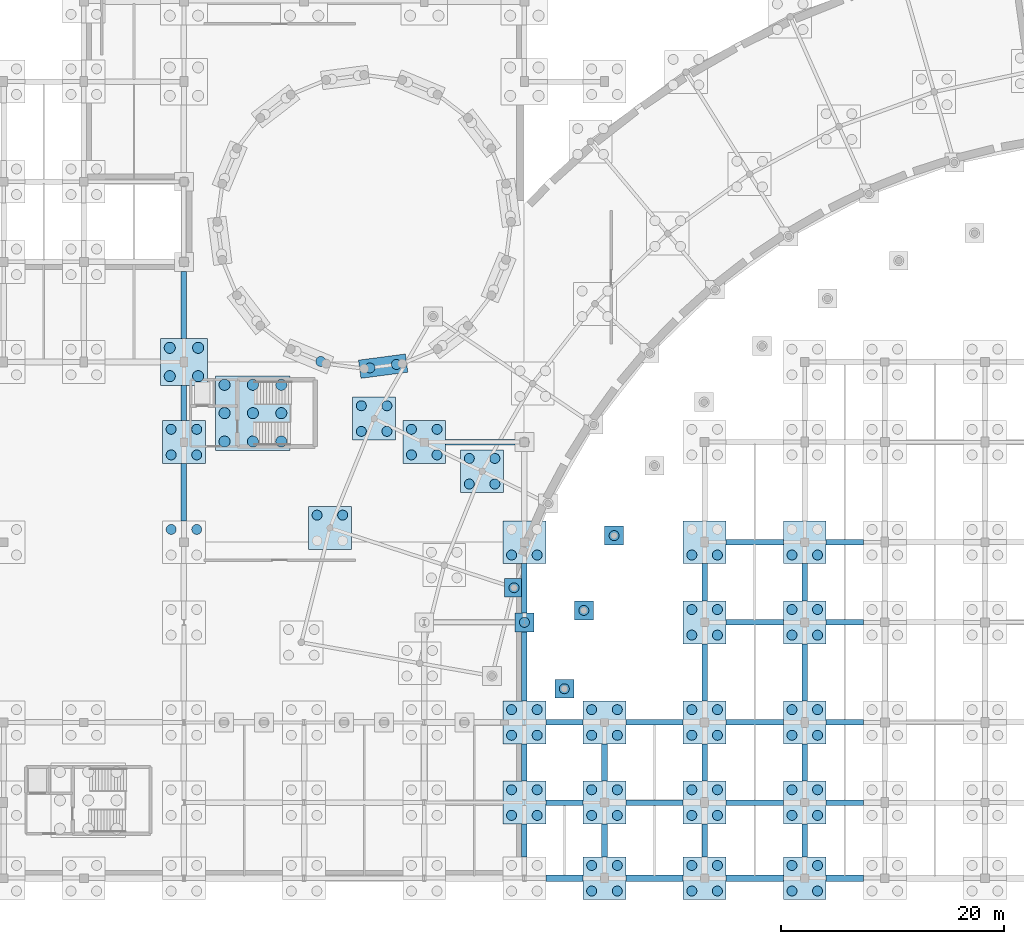
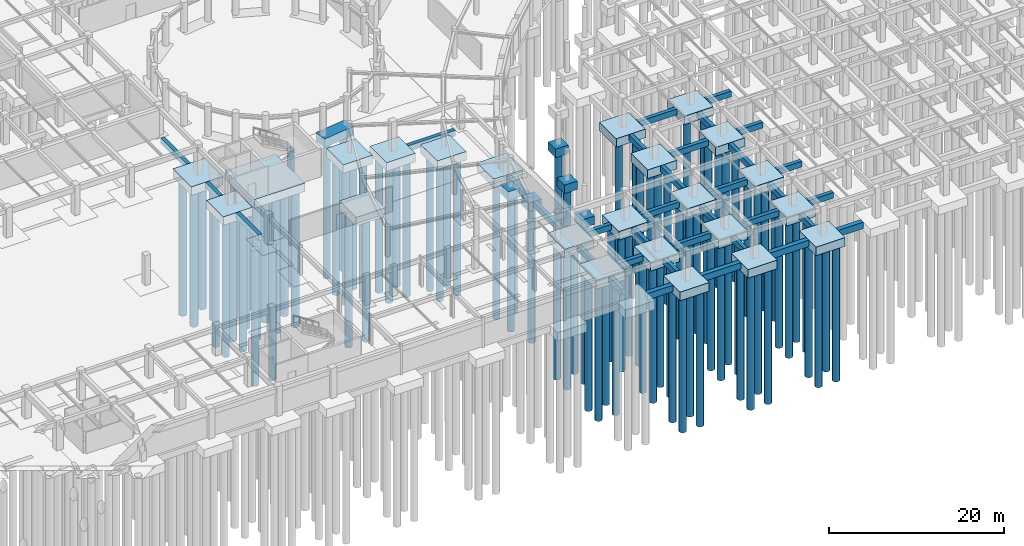
# One storey, part 4 of 42: 99 piles, 63 footings.
"""IFC4 building model written with IfcOpenShell, lengths in metres."""

from ifc_helpers import new_model, si_unit, direction, frame, frame_2d, origin, origin_2d, place, context, subcontext, project, spatial, polyline, rectangle, circle, outline, extrude, material, material_profile, profile_set, type_object, element, save


model = new_model("IFC4")

# Units and contexts
model_context = context("Model", 3, precision=1e-05, world=origin(), true_north=direction((0.0, 1.0)))
body_context = subcontext(model_context, "Body", "Model", "MODEL_VIEW")
ifc_project = project(units=[si_unit("LENGTHUNIT", "METRE"), si_unit("AREAUNIT", "SQUARE_METRE"), si_unit("VOLUMEUNIT", "CUBIC_METRE"), si_unit("PLANEANGLEUNIT", "RADIAN"), si_unit("MASSUNIT", "GRAM", prefix="KILO")], contexts=[model_context])

# Site, building, storey
site_placement = place(None, origin())
site = spatial("IfcSite", under=ifc_project, at=site_placement, CompositionType="ELEMENT")
building_placement = place(site_placement, origin())
building = spatial("IfcBuilding", under=site, at=building_placement, Name="Clarverna Civic Hall", CompositionType="ELEMENT")
storey_placement = place(building_placement, frame((0.0, 0.0, -4.199951171875)))
storey = spatial("IfcBuildingStorey", under=building, at=storey_placement, Name="B01", CompositionType="ELEMENT", Elevation=-4.199951171875)

# Footings
ifc_material = material(Name="Concrete C30/37", Category="concrete")
footing_type_1 = type_object("IfcFootingType", Name="FC-01", PredefinedType="PILE_CAP", material=ifc_material)
footing_1_placement = place(storey_placement, frame((0.0, 0.0, -1.199951171875)))
element("IfcFooting", 1, at=footing_1_placement, inside=storey, type_object=footing_type_1, Name="FC-01-010", PredefinedType="PILE_CAP", context=body_context, shape_type="SweptSolid", body=[
    extrude(outline(polyline([(82.509033203125, 44.9296875), (86.72265625, 45.484375), (86.50732421875, 47.1201171875), (82.293701171875, 46.5654296875), (82.509033203125, 44.9296875)])), origin(), (0.0, 0.0, 1.0), 1.199951171875),
])
footing_type_2 = type_object("IfcFootingType", Name="FC-02", PredefinedType="PILE_CAP", material=ifc_material)
for number, where, z_axis, x_axis, name in (
    (2, (93.398681640625, 36.581787109375, -1.2001953125), (0.0, 0.0, 1.0), (1.0, 0.0, 0.0), "FC-02-008"),
    (3, (83.691650390625, 41.316162109375, -1.2001953125), (0.0, 0.0, 1.0), (1.0, 0.0, 0.0), "FC-02-016"),
    (4, (79.7197265625, 31.4853515625, -1.2001953125), (0.0, 0.0, 1.0), (1.0, 0.0, 0.0), "FC-02-017"),
    (5, (66.60009765625, 39.199951171875, -1.2001953125), (0.0, 0.0, 1.0), (1.0, 0.0, 0.0), "FC-02-082"),
    (6, (88.199951171875, 39.199951171875, -1.2001953125), (0.0, 0.0, 1.0), (1.0, 0.0, 0.0), "FC-02-089"),
    (7, (97.199951171875, 6.800048828125, -1.2001953125), (0.0, 0.0, 1.0), (1.0, 0.0, 0.0), "FC-02-091"),
    (8, (97.199951171875, 14.0, -1.2001953125), (0.0, 0.0, 1.0), (1.0, 0.0, 0.0), "FC-02-092"),
    (9, (97.199951171875, 30.199951171875, -1.2001953125), (0.0, 0.0, 1.0), (1.0, 0.0, 0.0), "FC-02-093"),
    (10, (104.39990234375, 0.0, -1.2001953125), (0.0, 0.0, 1.0), (1.0, 0.0, 0.0), "FC-02-094"),
    (11, (104.39990234375, 6.800048828125, -1.2001953125), (0.0, 0.0, 1.0), (1.0, 0.0, 0.0), "FC-02-095"),
    (12, (104.39990234375, 14.0, -1.2001953125), (0.0, 0.0, 1.0), (1.0, 0.0, 0.0), "FC-02-096"),
    (13, (113.39990234375, 0.0, -1.2001953125), (0.0, 0.0, 1.0), (1.0, 0.0, 0.0), "FC-02-098"),
    (14, (113.39990234375, 6.800048828125, -1.2001953125), (0.0, 0.0, 1.0), (1.0, 0.0, 0.0), "FC-02-099"),
    (15, (113.39990234375, 14.0, -1.2001953125), (0.0, 0.0, 1.0), (1.0, 0.0, 0.0), "FC-02-100"),
    (16, (113.39990234375, 23.0, -1.2001953125), (0.0, 0.0, 1.0), (1.0, 0.0, 0.0), "FC-02-101"),
    (17, (113.39990234375, 30.199951171875, -1.2001953125), (0.0, 0.0, 1.0), (1.0, 0.0, 0.0), "FC-02-102"),
    (18, (122.39990234375, 0.0, -1.2001953125), (0.0, 0.0, 1.0), (1.0, 0.0, 0.0), "FC-02-104"),
    (19, (122.39990234375, 6.800048828125, -1.2001953125), (0.0, 0.0, 1.0), (1.0, 0.0, 0.0), "FC-02-105"),
    (20, (122.39990234375, 14.0, -1.2001953125), (0.0, 0.0, 1.0), (1.0, 0.0, 0.0), "FC-02-106"),
    (21, (122.39990234375, 23.0, -1.2001953125), (0.0, 0.0, 1.0), (1.0, 0.0, 0.0), "FC-02-107"),
    (22, (122.39990234375, 30.199951171875, -1.2001953125), (0.0, 0.0, 1.0), (1.0, 0.0, 0.0), "FC-02-108"),
):
    element("IfcFooting", number, at=place(storey_placement, frame(where, z_axis=z_axis, x_axis=x_axis)), inside=storey, type_object=footing_type_2, Name=name, PredefinedType="PILE_CAP", context=body_context, shape_type="SweptSolid", body=[
        extrude(rectangle(XDim=3.85009765625, YDim=3.85009765625, at=origin_2d()), origin(), (0.0, 0.0, 1.0), 1.199951171875),
    ])
footing_type_3 = type_object("IfcFootingType", Name="FC-03", PredefinedType="PILE_CAP", material=ifc_material)
footing_2_placement = place(storey_placement, frame((66.60009765625, 46.39990234375, -1.2001953125), z_axis=(0.0, 0.0, 1.0), x_axis=(1.0, 0.0, 0.0)))
element("IfcFooting", 23, at=footing_2_placement, inside=storey, type_object=footing_type_3, Name="FC-03-035", PredefinedType="PILE_CAP", context=body_context, shape_type="SweptSolid", body=[
    extrude(rectangle(XDim=4.199951171875, YDim=4.199951171875, at=origin_2d()), origin(), (0.0, 0.0, 1.0), 1.199951171875),
])
footing_type_4 = type_object("IfcFootingType", Name="FC-05", PredefinedType="PILE_CAP", material=ifc_material)
footing_3_placement = place(storey_placement, frame((72.800048828125, 41.800048828125, -1.2001953125), z_axis=(0.0, 0.0, 1.0), x_axis=(1.0, 0.0, 0.0)))
element("IfcFooting", 24, at=footing_3_placement, inside=storey, type_object=footing_type_4, Name="FC-05-007", PredefinedType="PILE_CAP", context=body_context, shape_type="SweptSolid", body=[
    extrude(rectangle(XDim=6.699951171875, YDim=6.699951171875, at=origin_2d()), origin(), (0.0, 0.0, 1.0), 1.199951171875),
])
footing_type_5 = type_object("IfcFootingType", Name="FC-06", PredefinedType="PILE_CAP", material=ifc_material)
for number, where, z_axis, x_axis, name in (
    (25, (96.26806640625, 26.1083984375, -1.2001953125), (0.0, 0.0, 1.0), (1.0, 0.0, 0.0), "FC-06-010"),
    (26, (105.2626953125, 30.79541015625, -1.2001953125), (0.0, 0.0, 1.0), (1.0, 0.0, 0.0), "FC-06-019"),
    (27, (102.545166015625, 24.06884765625, -1.2001953125), (0.0, 0.0, 1.0), (1.0, 0.0, 0.0), "FC-06-020"),
    (28, (100.7900390625, 17.02978515625, -1.2001953125), (0.0, 0.0, 1.0), (1.0, 0.0, 0.0), "FC-06-021"),
    (29, (97.199951171875, 23.0, -1.2001953125), (0.0, 0.0, 1.0), (1.0, 0.0, 0.0), "FC-06-025"),
):
    element("IfcFooting", number, at=place(storey_placement, frame(where, z_axis=z_axis, x_axis=x_axis)), inside=storey, type_object=footing_type_5, Name=name, PredefinedType="PILE_CAP", context=body_context, shape_type="SweptSolid", body=[
        extrude(rectangle(XDim=1.699951171875, YDim=1.699951171875, at=origin_2d()), origin(), (0.0, 0.0, 1.0), 1.199951171875),
    ])
footing_type_6 = type_object("IfcFootingType", Name="GB-01", PredefinedType="FOOTING_BEAM", material=ifc_material)
footing_4_placement = place(storey_placement, frame((99.125, 6.800048828125, -0.800048828125), z_axis=(0.0, 0.0, 1.0), x_axis=(1.0, 0.0, 0.0)))
element("IfcFooting", 30, at=footing_4_placement, inside=storey, type_object=footing_type_6, Name="GB-01-010", PredefinedType="FOOTING_BEAM", context=body_context, shape_type="SweptSolid", body=[
    extrude(rectangle(XDim=3.35009765625, YDim=0.5, at=frame_2d((1.675048828125, 0.0))), origin(), (0.0, 0.0, 1.0), 0.800048828125),
])
for number, where, z_axis, x_axis, name in (
    (31, (106.324951171875, 6.800048828125, -0.800048828125), (0.0, 0.0, 1.0), (1.0, 0.0, 0.0), "GB-01-011"),
    (32, (115.324951171875, 6.800048828125, -0.800048828125), (0.0, 0.0, 1.0), (1.0, 0.0, 0.0), "GB-01-012"),
):
    element("IfcFooting", number, at=place(storey_placement, frame(where, z_axis=z_axis, x_axis=x_axis)), inside=storey, type_object=footing_type_6, Name=name, PredefinedType="FOOTING_BEAM", context=body_context, shape_type="SweptSolid", body=[
        extrude(rectangle(XDim=5.150146484375, YDim=0.5, at=frame_2d((2.5751953125, 0.0))), origin(), (0.0, 0.0, 1.0), 0.800048828125),
    ])
for number, where, z_axis, x_axis, name in (
    (33, (124.324951171875, 6.800048828125, -0.800048828125), (0.0, 0.0, 1.0), (1.0, 0.0, 0.0), "GB-01-013"),
    (34, (99.125, 14.0, -0.800048828125), (0.0, 0.0, 1.0), (1.0, 0.0, 0.0), "GB-01-030"),
):
    element("IfcFooting", number, at=place(storey_placement, frame(where, z_axis=z_axis, x_axis=x_axis)), inside=storey, type_object=footing_type_6, Name=name, PredefinedType="FOOTING_BEAM", context=body_context, shape_type="SweptSolid", body=[
        extrude(rectangle(XDim=3.35009765625, YDim=0.5, at=frame_2d((1.675048828125, 0.0))), origin(), (0.0, 0.0, 1.0), 0.800048828125),
    ])
for number, where, z_axis, x_axis, name in (
    (35, (106.324951171875, 14.0, -0.800048828125), (0.0, 0.0, 1.0), (1.0, 0.0, 0.0), "GB-01-031"),
    (36, (115.324951171875, 14.0, -0.800048828125), (0.0, 0.0, 1.0), (1.0, 0.0, 0.0), "GB-01-032"),
):
    element("IfcFooting", number, at=place(storey_placement, frame(where, z_axis=z_axis, x_axis=x_axis)), inside=storey, type_object=footing_type_6, Name=name, PredefinedType="FOOTING_BEAM", context=body_context, shape_type="SweptSolid", body=[
        extrude(rectangle(XDim=5.150146484375, YDim=0.5, at=frame_2d((2.5751953125, 0.0))), origin(), (0.0, 0.0, 1.0), 0.800048828125),
    ])
footing_5_placement = place(storey_placement, frame((124.324951171875, 14.0, -0.800048828125), z_axis=(0.0, 0.0, 1.0), x_axis=(1.0, 0.0, 0.0)))
element("IfcFooting", 37, at=footing_5_placement, inside=storey, type_object=footing_type_6, Name="GB-01-033", PredefinedType="FOOTING_BEAM", context=body_context, shape_type="SweptSolid", body=[
    extrude(rectangle(XDim=3.35009765625, YDim=0.5, at=frame_2d((1.675048828125, 0.0))), origin(), (0.0, 0.0, 1.0), 0.800048828125),
])
footing_6_placement = place(storey_placement, frame((115.324951171875, 23.0, -0.800048828125), z_axis=(0.0, 0.0, 1.0), x_axis=(1.0, 0.0, 0.0)))
element("IfcFooting", 38, at=footing_6_placement, inside=storey, type_object=footing_type_6, Name="GB-01-042", PredefinedType="FOOTING_BEAM", context=body_context, shape_type="SweptSolid", body=[
    extrude(rectangle(XDim=5.150146484375, YDim=0.5, at=frame_2d((2.5751953125, 0.0))), origin(), (0.0, 0.0, 1.0), 0.800048828125),
])
footing_7_placement = place(storey_placement, frame((124.324951171875, 23.0, -0.800048828125), z_axis=(0.0, 0.0, 1.0), x_axis=(1.0, 0.0, 0.0)))
element("IfcFooting", 39, at=footing_7_placement, inside=storey, type_object=footing_type_6, Name="GB-01-043", PredefinedType="FOOTING_BEAM", context=body_context, shape_type="SweptSolid", body=[
    extrude(rectangle(XDim=3.35009765625, YDim=0.5, at=frame_2d((1.675048828125, 0.0))), origin(), (0.0, 0.0, 1.0), 0.800048828125),
])
footing_8_placement = place(storey_placement, frame((115.324951171875, 30.199951171875, -0.800048828125), z_axis=(0.0, 0.0, 1.0), x_axis=(1.0, 0.0, 0.0)))
element("IfcFooting", 40, at=footing_8_placement, inside=storey, type_object=footing_type_6, Name="GB-01-051", PredefinedType="FOOTING_BEAM", context=body_context, shape_type="SweptSolid", body=[
    extrude(rectangle(XDim=5.150146484375, YDim=0.5, at=frame_2d((2.5751953125, 0.0))), origin(), (0.0, 0.0, 1.0), 0.800048828125),
])
footing_9_placement = place(storey_placement, frame((124.324951171875, 30.199951171875, -0.800048828125), z_axis=(0.0, 0.0, 1.0), x_axis=(1.0, 0.0, 0.0)))
element("IfcFooting", 41, at=footing_9_placement, inside=storey, type_object=footing_type_6, Name="GB-01-052", PredefinedType="FOOTING_BEAM", context=body_context, shape_type="SweptSolid", body=[
    extrude(rectangle(XDim=3.35009765625, YDim=0.5, at=frame_2d((1.675048828125, 0.0))), origin(), (0.0, 0.0, 1.0), 0.800048828125),
])
footing_10_placement = place(storey_placement, frame((90.125, 39.199951171875, -0.800048828125), z_axis=(0.0, 0.0, 1.0), x_axis=(1.0, 0.0, 0.0)))
element("IfcFooting", 42, at=footing_10_placement, inside=storey, type_object=footing_type_6, Name="GB-01-060", PredefinedType="FOOTING_BEAM", context=body_context, shape_type="SweptSolid", body=[
    extrude(rectangle(XDim=6.22509765625, YDim=0.5, at=frame_2d((3.112548828125, 0.0))), origin(), (0.0, 0.0, 1.0), 0.800048828125),
])
footing_11_placement = place(storey_placement, frame((66.60009765625, 32.125, -0.800048828125), z_axis=(0.0, 0.0, 1.0), x_axis=(0.0, 1.0, 0.0)))
element("IfcFooting", 43, at=footing_11_placement, inside=storey, type_object=footing_type_6, Name="GB-01-237", PredefinedType="FOOTING_BEAM", context=body_context, shape_type="SweptSolid", body=[
    extrude(rectangle(XDim=5.14990234375, YDim=0.5, at=frame_2d((2.574951171875, 0.0))), origin(), (0.0, 0.0, 1.0), 0.800048828125),
])
footing_12_placement = place(storey_placement, frame((66.60009765625, 41.125, -0.800048828125), z_axis=(0.0, 0.0, 1.0), x_axis=(0.0, 1.0, 0.0)))
element("IfcFooting", 44, at=footing_12_placement, inside=storey, type_object=footing_type_6, Name="GB-01-238", PredefinedType="FOOTING_BEAM", context=body_context, shape_type="SweptSolid", body=[
    extrude(rectangle(XDim=3.175048828125, YDim=0.5, at=frame_2d((1.58740234375, 0.0))), origin(), (0.0, 0.0, 1.0), 0.800048828125),
])
footing_13_placement = place(storey_placement, frame((66.60009765625, 48.5, -0.800048828125), z_axis=(0.0, 0.0, 1.0), x_axis=(0.0, 1.0, 0.0)))
element("IfcFooting", 45, at=footing_13_placement, inside=storey, type_object=footing_type_6, Name="GB-01-239", PredefinedType="FOOTING_BEAM", context=body_context, shape_type="SweptSolid", body=[
    extrude(rectangle(XDim=6.050048828125, YDim=0.5, at=frame_2d((3.02490234375, 0.0))), origin(), (0.0, 0.0, 1.0), 0.800048828125),
])
footing_14_placement = place(storey_placement, frame((97.199951171875, 1.925048828125, -0.800048828125), z_axis=(0.0, 0.0, 1.0), x_axis=(0.0, 1.0, 0.0)))
element("IfcFooting", 46, at=footing_14_placement, inside=storey, type_object=footing_type_6, Name="GB-01-257", PredefinedType="FOOTING_BEAM", context=body_context, shape_type="SweptSolid", body=[
    extrude(rectangle(XDim=2.949951171875, YDim=0.5, at=frame_2d((1.47509765625, 0.0))), origin(), (0.0, 0.0, 1.0), 0.800048828125),
])
footing_15_placement = place(storey_placement, frame((97.199951171875, 8.72509765625, -0.800048828125), z_axis=(0.0, 0.0, 1.0), x_axis=(0.0, 1.0, 0.0)))
element("IfcFooting", 47, at=footing_15_placement, inside=storey, type_object=footing_type_6, Name="GB-01-258", PredefinedType="FOOTING_BEAM", context=body_context, shape_type="SweptSolid", body=[
    extrude(rectangle(XDim=3.349853515625, YDim=0.5, at=frame_2d((1.6748046875, 0.0))), origin(), (0.0, 0.0, 1.0), 0.800048828125),
])
footing_16_placement = place(storey_placement, frame((97.199951171875, 15.925048828125, -0.800048828125), z_axis=(0.0, 0.0, 1.0), x_axis=(0.0, 1.0, 0.0)))
element("IfcFooting", 48, at=footing_16_placement, inside=storey, type_object=footing_type_6, Name="GB-01-259", PredefinedType="FOOTING_BEAM", context=body_context, shape_type="SweptSolid", body=[
    extrude(rectangle(XDim=6.224853515625, YDim=0.5, at=frame_2d((3.1123046875, 0.0))), origin(), (0.0, 0.0, 1.0), 0.800048828125),
])
footing_17_placement = place(storey_placement, frame((97.199951171875, 23.85009765625, -0.800048828125), z_axis=(0.0, 0.0, 1.0), x_axis=(0.0, 1.0, 0.0)))
element("IfcFooting", 49, at=footing_17_placement, inside=storey, type_object=footing_type_6, Name="GB-01-260", PredefinedType="FOOTING_BEAM", context=body_context, shape_type="SweptSolid", body=[
    extrude(rectangle(XDim=4.4248046875, YDim=0.5, at=frame_2d((2.21240234375, 0.0))), origin(), (0.0, 0.0, 1.0), 0.800048828125),
])
footing_18_placement = place(storey_placement, frame((104.39990234375, 1.925048828125, -0.800048828125), z_axis=(0.0, 0.0, 1.0), x_axis=(0.0, 1.0, 0.0)))
element("IfcFooting", 50, at=footing_18_placement, inside=storey, type_object=footing_type_6, Name="GB-01-267", PredefinedType="FOOTING_BEAM", context=body_context, shape_type="SweptSolid", body=[
    extrude(rectangle(XDim=2.949951171875, YDim=0.5, at=frame_2d((1.47509765625, 0.0))), origin(), (0.0, 0.0, 1.0), 0.800048828125),
])
footing_19_placement = place(storey_placement, frame((104.39990234375, 8.72509765625, -0.800048828125), z_axis=(0.0, 0.0, 1.0), x_axis=(0.0, 1.0, 0.0)))
element("IfcFooting", 51, at=footing_19_placement, inside=storey, type_object=footing_type_6, Name="GB-01-268", PredefinedType="FOOTING_BEAM", context=body_context, shape_type="SweptSolid", body=[
    extrude(rectangle(XDim=3.349853515625, YDim=0.5, at=frame_2d((1.6748046875, 0.0))), origin(), (0.0, 0.0, 1.0), 0.800048828125),
])
footing_20_placement = place(storey_placement, frame((113.39990234375, 1.925048828125, -0.800048828125), z_axis=(0.0, 0.0, 1.0), x_axis=(0.0, 1.0, 0.0)))
element("IfcFooting", 52, at=footing_20_placement, inside=storey, type_object=footing_type_6, Name="GB-01-272", PredefinedType="FOOTING_BEAM", context=body_context, shape_type="SweptSolid", body=[
    extrude(rectangle(XDim=2.949951171875, YDim=0.5, at=frame_2d((1.47509765625, 0.0))), origin(), (0.0, 0.0, 1.0), 0.800048828125),
])
footing_21_placement = place(storey_placement, frame((113.39990234375, 8.72509765625, -0.800048828125), z_axis=(0.0, 0.0, 1.0), x_axis=(0.0, 1.0, 0.0)))
element("IfcFooting", 53, at=footing_21_placement, inside=storey, type_object=footing_type_6, Name="GB-01-273", PredefinedType="FOOTING_BEAM", context=body_context, shape_type="SweptSolid", body=[
    extrude(rectangle(XDim=3.349853515625, YDim=0.5, at=frame_2d((1.6748046875, 0.0))), origin(), (0.0, 0.0, 1.0), 0.800048828125),
])
footing_22_placement = place(storey_placement, frame((113.39990234375, 15.925048828125, -0.800048828125), z_axis=(0.0, 0.0, 1.0), x_axis=(0.0, 1.0, 0.0)))
element("IfcFooting", 54, at=footing_22_placement, inside=storey, type_object=footing_type_6, Name="GB-01-274", PredefinedType="FOOTING_BEAM", context=body_context, shape_type="SweptSolid", body=[
    extrude(rectangle(XDim=5.14990234375, YDim=0.5, at=frame_2d((2.574951171875, 0.0))), origin(), (0.0, 0.0, 1.0), 0.800048828125),
])
footing_23_placement = place(storey_placement, frame((113.39990234375, 24.925048828125, -0.800048828125), z_axis=(0.0, 0.0, 1.0), x_axis=(0.0, 1.0, 0.0)))
element("IfcFooting", 55, at=footing_23_placement, inside=storey, type_object=footing_type_6, Name="GB-01-275", PredefinedType="FOOTING_BEAM", context=body_context, shape_type="SweptSolid", body=[
    extrude(rectangle(XDim=3.349853515625, YDim=0.5, at=frame_2d((1.6748046875, 0.0))), origin(), (0.0, 0.0, 1.0), 0.800048828125),
])
footing_24_placement = place(storey_placement, frame((122.39990234375, 1.925048828125, -0.800048828125), z_axis=(0.0, 0.0, 1.0), x_axis=(0.0, 1.0, 0.0)))
element("IfcFooting", 56, at=footing_24_placement, inside=storey, type_object=footing_type_6, Name="GB-01-281", PredefinedType="FOOTING_BEAM", context=body_context, shape_type="SweptSolid", body=[
    extrude(rectangle(XDim=2.949951171875, YDim=0.5, at=frame_2d((1.47509765625, 0.0))), origin(), (0.0, 0.0, 1.0), 0.800048828125),
])
footing_25_placement = place(storey_placement, frame((122.39990234375, 8.72509765625, -0.800048828125), z_axis=(0.0, 0.0, 1.0), x_axis=(0.0, 1.0, 0.0)))
element("IfcFooting", 57, at=footing_25_placement, inside=storey, type_object=footing_type_6, Name="GB-01-282", PredefinedType="FOOTING_BEAM", context=body_context, shape_type="SweptSolid", body=[
    extrude(rectangle(XDim=3.349853515625, YDim=0.5, at=frame_2d((1.6748046875, 0.0))), origin(), (0.0, 0.0, 1.0), 0.800048828125),
])
footing_26_placement = place(storey_placement, frame((122.39990234375, 15.925048828125, -0.800048828125), z_axis=(0.0, 0.0, 1.0), x_axis=(0.0, 1.0, 0.0)))
element("IfcFooting", 58, at=footing_26_placement, inside=storey, type_object=footing_type_6, Name="GB-01-283", PredefinedType="FOOTING_BEAM", context=body_context, shape_type="SweptSolid", body=[
    extrude(rectangle(XDim=5.14990234375, YDim=0.5, at=frame_2d((2.574951171875, 0.0))), origin(), (0.0, 0.0, 1.0), 0.800048828125),
])
footing_27_placement = place(storey_placement, frame((122.39990234375, 24.925048828125, -0.800048828125), z_axis=(0.0, 0.0, 1.0), x_axis=(0.0, 1.0, 0.0)))
element("IfcFooting", 59, at=footing_27_placement, inside=storey, type_object=footing_type_6, Name="GB-01-284", PredefinedType="FOOTING_BEAM", context=body_context, shape_type="SweptSolid", body=[
    extrude(rectangle(XDim=3.349853515625, YDim=0.5, at=frame_2d((1.6748046875, 0.0))), origin(), (0.0, 0.0, 1.0), 0.800048828125),
])
footing_type_7 = type_object("IfcFootingType", Name="GB-02", PredefinedType="FOOTING_BEAM", material=ifc_material)
footing_28_placement = place(storey_placement, frame((99.125, 0.0, -0.900146484375), z_axis=(0.0, 0.0, 1.0), x_axis=(1.0, 0.0, 0.0)))
element("IfcFooting", 60, at=footing_28_placement, inside=storey, type_object=footing_type_7, Name="GB-02-012", PredefinedType="FOOTING_BEAM", context=body_context, shape_type="SweptSolid", body=[
    extrude(rectangle(XDim=3.35009765625, YDim=0.60009765625, at=frame_2d((1.675048828125, 0.0))), origin(), (0.0, 0.0, 1.0), 0.900146484375),
])
for number, where, z_axis, x_axis, name in (
    (61, (106.324951171875, 0.0, -0.900146484375), (0.0, 0.0, 1.0), (1.0, 0.0, 0.0), "GB-02-013"),
    (62, (115.324951171875, 0.0, -0.900146484375), (0.0, 0.0, 1.0), (1.0, 0.0, 0.0), "GB-02-014"),
):
    element("IfcFooting", number, at=place(storey_placement, frame(where, z_axis=z_axis, x_axis=x_axis)), inside=storey, type_object=footing_type_7, Name=name, PredefinedType="FOOTING_BEAM", context=body_context, shape_type="SweptSolid", body=[
        extrude(rectangle(XDim=5.150146484375, YDim=0.60009765625, at=frame_2d((2.5751953125, 0.0))), origin(), (0.0, 0.0, 1.0), 0.900146484375),
    ])
footing_29_placement = place(storey_placement, frame((124.324951171875, 0.0, -0.900146484375), z_axis=(0.0, 0.0, 1.0), x_axis=(1.0, 0.0, 0.0)))
element("IfcFooting", 63, at=footing_29_placement, inside=storey, type_object=footing_type_7, Name="GB-02-015", PredefinedType="FOOTING_BEAM", context=body_context, shape_type="SweptSolid", body=[
    extrude(rectangle(XDim=3.35009765625, YDim=0.60009765625, at=frame_2d((1.675048828125, 0.0))), origin(), (0.0, 0.0, 1.0), 0.900146484375),
])

# Piles
ifc_material_profile_1 = material_profile(ifc_material, circle(Radius=0.449951171875, at=origin_2d()), Name="BORED PILE D900")
ifc_profile_set_1 = profile_set([ifc_material_profile_1], Name="Concrete C30/37")
pile_type_1 = type_object("IfcPileType", Name="PL-01", PredefinedType="BORED", material=ifc_profile_set_1)
for number, where, z_axis, x_axis, name in (
    (64, (78.900390625, 46.449951171875, -1.10009765625), (0.0, 0.0, -1.0), (1.0, 0.0, 0.0), "PL-01-018"),
    (65, (83.318603515625, 45.868408203125, -1.10009765625), (0.0, 0.0, -1.0), (1.0, 0.0, 0.0), "PL-01-019"),
    (66, (85.697998046875, 46.181396484375, -1.10009765625), (0.0, 0.0, -1.0), (1.0, 0.0, 0.0), "PL-01-020"),
    (67, (92.24853515625, 35.431884765625, -1.10009765625), (0.0, 0.0, -1.0), (1.0, 0.0, 0.0), "PL-01-053"),
    (68, (94.548583984375, 35.431884765625, -1.10009765625), (0.0, 0.0, -1.0), (1.0, 0.0, 0.0), "PL-01-054"),
    (69, (92.24853515625, 37.731689453125, -1.10009765625), (0.0, 0.0, -1.0), (1.0, 0.0, 0.0), "PL-01-055"),
    (70, (94.548583984375, 37.731689453125, -1.10009765625), (0.0, 0.0, -1.0), (1.0, 0.0, 0.0), "PL-01-056"),
    (71, (82.541748046875, 40.166259765625, -1.10009765625), (0.0, 0.0, -1.0), (1.0, 0.0, 0.0), "PL-01-086"),
    (72, (84.841796875, 40.166259765625, -1.10009765625), (0.0, 0.0, -1.0), (1.0, 0.0, 0.0), "PL-01-087"),
    (73, (82.541748046875, 42.46630859375, -1.10009765625), (0.0, 0.0, -1.0), (1.0, 0.0, 0.0), "PL-01-088"),
    (74, (84.841796875, 42.46630859375, -1.10009765625), (0.0, 0.0, -1.0), (1.0, 0.0, 0.0), "PL-01-089"),
    (75, (78.569580078125, 32.63525390625, -1.10009765625), (0.0, 0.0, -1.0), (1.0, 0.0, 0.0), "PL-01-092"),
    (76, (80.86962890625, 32.63525390625, -1.10009765625), (0.0, 0.0, -1.0), (1.0, 0.0, 0.0), "PL-01-093"),
    (77, (96.26806640625, 26.1083984375, -1.10009765625), (0.0, 0.0, -1.0), (1.0, 0.0, 0.0), "PL-01-106"),
    (78, (105.2626953125, 30.79541015625, -1.10009765625), (0.0, 0.0, -1.0), (1.0, 0.0, 0.0), "PL-01-115"),
    (79, (102.545166015625, 24.06884765625, -1.10009765625), (0.0, 0.0, -1.0), (1.0, 0.0, 0.0), "PL-01-116"),
    (80, (100.7900390625, 17.02978515625, -1.10009765625), (0.0, 0.0, -1.0), (1.0, 0.0, 0.0), "PL-01-117"),
    (81, (65.449951171875, 31.35009765625, -1.10009765625), (0.0, 0.0, -1.0), (1.0, 0.0, 0.0), "PL-01-368"),
    (82, (67.75, 31.35009765625, -1.10009765625), (0.0, 0.0, -1.0), (1.0, 0.0, 0.0), "PL-01-369"),
    (83, (65.449951171875, 38.050048828125, -1.10009765625), (0.0, 0.0, -1.0), (1.0, 0.0, 0.0), "PL-01-370"),
    (84, (67.75, 38.050048828125, -1.10009765625), (0.0, 0.0, -1.0), (1.0, 0.0, 0.0), "PL-01-371"),
    (85, (65.449951171875, 40.35009765625, -1.10009765625), (0.0, 0.0, -1.0), (1.0, 0.0, 0.0), "PL-01-372"),
    (86, (67.75, 40.35009765625, -1.10009765625), (0.0, 0.0, -1.0), (1.0, 0.0, 0.0), "PL-01-373"),
    (87, (87.050048828125, 38.050048828125, -1.10009765625), (0.0, 0.0, -1.0), (1.0, 0.0, 0.0), "PL-01-401"),
    (88, (89.35009765625, 38.050048828125, -1.10009765625), (0.0, 0.0, -1.0), (1.0, 0.0, 0.0), "PL-01-402"),
    (89, (87.050048828125, 40.35009765625, -1.10009765625), (0.0, 0.0, -1.0), (1.0, 0.0, 0.0), "PL-01-403"),
    (90, (89.35009765625, 40.35009765625, -1.10009765625), (0.0, 0.0, -1.0), (1.0, 0.0, 0.0), "PL-01-404"),
    (91, (96.050048828125, 5.64990234375, -1.10009765625), (0.0, 0.0, -1.0), (1.0, 0.0, 0.0), "PL-01-409"),
    (92, (98.35009765625, 5.64990234375, -1.10009765625), (0.0, 0.0, -1.0), (1.0, 0.0, 0.0), "PL-01-410"),
    (93, (96.050048828125, 7.949951171875, -1.10009765625), (0.0, 0.0, -1.0), (1.0, 0.0, 0.0), "PL-01-411"),
    (94, (98.35009765625, 7.949951171875, -1.10009765625), (0.0, 0.0, -1.0), (1.0, 0.0, 0.0), "PL-01-412"),
    (95, (96.050048828125, 12.85009765625, -1.10009765625), (0.0, 0.0, -1.0), (1.0, 0.0, 0.0), "PL-01-413"),
    (96, (98.35009765625, 12.85009765625, -1.10009765625), (0.0, 0.0, -1.0), (1.0, 0.0, 0.0), "PL-01-414"),
    (97, (96.050048828125, 15.14990234375, -1.10009765625), (0.0, 0.0, -1.0), (1.0, 0.0, 0.0), "PL-01-415"),
    (98, (98.35009765625, 15.14990234375, -1.10009765625), (0.0, 0.0, -1.0), (1.0, 0.0, 0.0), "PL-01-416"),
    (99, (97.199951171875, 23.0, -1.10009765625), (0.0, 0.0, -1.0), (1.0, 0.0, 0.0), "PL-01-417"),
    (100, (96.050048828125, 29.050048828125, -1.10009765625), (0.0, 0.0, -1.0), (1.0, 0.0, 0.0), "PL-01-418"),
    (101, (98.35009765625, 29.050048828125, -1.10009765625), (0.0, 0.0, -1.0), (1.0, 0.0, 0.0), "PL-01-419"),
    (102, (103.25, -1.14990234375, -1.10009765625), (0.0, 0.0, -1.0), (1.0, 0.0, 0.0), "PL-01-423"),
    (103, (105.550048828125, -1.14990234375, -1.10009765625), (0.0, 0.0, -1.0), (1.0, 0.0, 0.0), "PL-01-424"),
    (104, (103.25, 1.14990234375, -1.10009765625), (0.0, 0.0, -1.0), (1.0, 0.0, 0.0), "PL-01-425"),
    (105, (105.550048828125, 1.14990234375, -1.10009765625), (0.0, 0.0, -1.0), (1.0, 0.0, 0.0), "PL-01-426"),
    (106, (103.25, 5.64990234375, -1.10009765625), (0.0, 0.0, -1.0), (1.0, 0.0, 0.0), "PL-01-427"),
    (107, (105.550048828125, 5.64990234375, -1.10009765625), (0.0, 0.0, -1.0), (1.0, 0.0, 0.0), "PL-01-428"),
    (108, (103.25, 7.949951171875, -1.10009765625), (0.0, 0.0, -1.0), (1.0, 0.0, 0.0), "PL-01-429"),
    (109, (105.550048828125, 7.949951171875, -1.10009765625), (0.0, 0.0, -1.0), (1.0, 0.0, 0.0), "PL-01-430"),
    (110, (103.25, 12.85009765625, -1.10009765625), (0.0, 0.0, -1.0), (1.0, 0.0, 0.0), "PL-01-431"),
    (111, (105.550048828125, 12.85009765625, -1.10009765625), (0.0, 0.0, -1.0), (1.0, 0.0, 0.0), "PL-01-432"),
    (112, (103.25, 15.14990234375, -1.10009765625), (0.0, 0.0, -1.0), (1.0, 0.0, 0.0), "PL-01-433"),
    (113, (105.550048828125, 15.14990234375, -1.10009765625), (0.0, 0.0, -1.0), (1.0, 0.0, 0.0), "PL-01-434"),
    (114, (112.25, -1.14990234375, -1.10009765625), (0.0, 0.0, -1.0), (1.0, 0.0, 0.0), "PL-01-439"),
    (115, (114.550048828125, -1.14990234375, -1.10009765625), (0.0, 0.0, -1.0), (1.0, 0.0, 0.0), "PL-01-440"),
    (116, (112.25, 1.14990234375, -1.10009765625), (0.0, 0.0, -1.0), (1.0, 0.0, 0.0), "PL-01-441"),
    (117, (114.550048828125, 1.14990234375, -1.10009765625), (0.0, 0.0, -1.0), (1.0, 0.0, 0.0), "PL-01-442"),
    (118, (112.25, 5.64990234375, -1.10009765625), (0.0, 0.0, -1.0), (1.0, 0.0, 0.0), "PL-01-443"),
    (119, (114.550048828125, 5.64990234375, -1.10009765625), (0.0, 0.0, -1.0), (1.0, 0.0, 0.0), "PL-01-444"),
    (120, (112.25, 7.949951171875, -1.10009765625), (0.0, 0.0, -1.0), (1.0, 0.0, 0.0), "PL-01-445"),
    (121, (114.550048828125, 7.949951171875, -1.10009765625), (0.0, 0.0, -1.0), (1.0, 0.0, 0.0), "PL-01-446"),
    (122, (112.25, 12.85009765625, -1.10009765625), (0.0, 0.0, -1.0), (1.0, 0.0, 0.0), "PL-01-447"),
    (123, (114.550048828125, 12.85009765625, -1.10009765625), (0.0, 0.0, -1.0), (1.0, 0.0, 0.0), "PL-01-448"),
    (124, (112.25, 15.14990234375, -1.10009765625), (0.0, 0.0, -1.0), (1.0, 0.0, 0.0), "PL-01-449"),
    (125, (114.550048828125, 15.14990234375, -1.10009765625), (0.0, 0.0, -1.0), (1.0, 0.0, 0.0), "PL-01-450"),
    (126, (112.25, 21.85009765625, -1.10009765625), (0.0, 0.0, -1.0), (1.0, 0.0, 0.0), "PL-01-451"),
    (127, (114.550048828125, 21.85009765625, -1.10009765625), (0.0, 0.0, -1.0), (1.0, 0.0, 0.0), "PL-01-452"),
    (128, (112.25, 24.14990234375, -1.10009765625), (0.0, 0.0, -1.0), (1.0, 0.0, 0.0), "PL-01-453"),
    (129, (114.550048828125, 24.14990234375, -1.10009765625), (0.0, 0.0, -1.0), (1.0, 0.0, 0.0), "PL-01-454"),
    (130, (112.25, 29.050048828125, -1.10009765625), (0.0, 0.0, -1.0), (1.0, 0.0, 0.0), "PL-01-455"),
    (131, (114.550048828125, 29.050048828125, -1.10009765625), (0.0, 0.0, -1.0), (1.0, 0.0, 0.0), "PL-01-456"),
    (132, (121.25, -1.14990234375, -1.10009765625), (0.0, 0.0, -1.0), (1.0, 0.0, 0.0), "PL-01-481"),
    (133, (123.550048828125, -1.14990234375, -1.10009765625), (0.0, 0.0, -1.0), (1.0, 0.0, 0.0), "PL-01-482"),
    (134, (121.25, 1.14990234375, -1.10009765625), (0.0, 0.0, -1.0), (1.0, 0.0, 0.0), "PL-01-483"),
    (135, (123.550048828125, 1.14990234375, -1.10009765625), (0.0, 0.0, -1.0), (1.0, 0.0, 0.0), "PL-01-484"),
    (136, (121.25, 5.64990234375, -1.10009765625), (0.0, 0.0, -1.0), (1.0, 0.0, 0.0), "PL-01-485"),
    (137, (123.550048828125, 5.64990234375, -1.10009765625), (0.0, 0.0, -1.0), (1.0, 0.0, 0.0), "PL-01-486"),
    (138, (121.25, 7.949951171875, -1.10009765625), (0.0, 0.0, -1.0), (1.0, 0.0, 0.0), "PL-01-487"),
    (139, (123.550048828125, 7.949951171875, -1.10009765625), (0.0, 0.0, -1.0), (1.0, 0.0, 0.0), "PL-01-488"),
    (140, (121.25, 12.85009765625, -1.10009765625), (0.0, 0.0, -1.0), (1.0, 0.0, 0.0), "PL-01-489"),
    (141, (123.550048828125, 12.85009765625, -1.10009765625), (0.0, 0.0, -1.0), (1.0, 0.0, 0.0), "PL-01-490"),
    (142, (121.25, 15.14990234375, -1.10009765625), (0.0, 0.0, -1.0), (1.0, 0.0, 0.0), "PL-01-491"),
    (143, (123.550048828125, 15.14990234375, -1.10009765625), (0.0, 0.0, -1.0), (1.0, 0.0, 0.0), "PL-01-492"),
    (144, (121.25, 21.85009765625, -1.10009765625), (0.0, 0.0, -1.0), (1.0, 0.0, 0.0), "PL-01-493"),
    (145, (123.550048828125, 21.85009765625, -1.10009765625), (0.0, 0.0, -1.0), (1.0, 0.0, 0.0), "PL-01-494"),
    (146, (121.25, 24.14990234375, -1.10009765625), (0.0, 0.0, -1.0), (1.0, 0.0, 0.0), "PL-01-495"),
    (147, (123.550048828125, 24.14990234375, -1.10009765625), (0.0, 0.0, -1.0), (1.0, 0.0, 0.0), "PL-01-496"),
    (148, (121.25, 29.050048828125, -1.10009765625), (0.0, 0.0, -1.0), (1.0, 0.0, 0.0), "PL-01-497"),
    (149, (123.550048828125, 29.050048828125, -1.10009765625), (0.0, 0.0, -1.0), (1.0, 0.0, 0.0), "PL-01-498"),
):
    element("IfcPile", number, at=place(storey_placement, frame(where, z_axis=z_axis, x_axis=x_axis)), inside=storey, type_object=pile_type_1, Name=name, PredefinedType="BORED", context=body_context, shape_type="SweptSolid", body=[
        extrude(circle(Radius=0.449951171875, at=origin_2d()), origin(), (0.0, 0.0, 1.0), 19.0),
    ])
ifc_material_profile_2 = material_profile(ifc_material, circle(Radius=0.5, at=origin_2d()), Name="BORED PILE D1000")
ifc_profile_set_2 = profile_set([ifc_material_profile_2], Name="Concrete C30/37")
pile_type_2 = type_object("IfcPileType", Name="PL-02", PredefinedType="BORED", material=ifc_profile_set_2)
for number, where, z_axis, x_axis, name in (
    (150, (65.324951171875, 45.125, -1.10009765625), (0.0, 0.0, -1.0), (1.0, 0.0, 0.0), "PL-02-191"),
    (151, (67.875, 45.125, -1.10009765625), (0.0, 0.0, -1.0), (1.0, 0.0, 0.0), "PL-02-192"),
    (152, (65.324951171875, 47.675048828125, -1.10009765625), (0.0, 0.0, -1.0), (1.0, 0.0, 0.0), "PL-02-193"),
    (153, (67.875, 47.675048828125, -1.10009765625), (0.0, 0.0, -1.0), (1.0, 0.0, 0.0), "PL-02-194"),
    (154, (70.25, 39.25, -1.10009765625), (0.0, 0.0, -1.0), (1.0, 0.0, 0.0), "PL-02-335"),
    (155, (70.25, 41.800048828125, -1.10009765625), (0.0, 0.0, -1.0), (1.0, 0.0, 0.0), "PL-02-336"),
    (156, (70.25, 44.35009765625, -1.10009765625), (0.0, 0.0, -1.0), (1.0, 0.0, 0.0), "PL-02-337"),
    (157, (72.800048828125, 39.25, -1.10009765625), (0.0, 0.0, -1.0), (1.0, 0.0, 0.0), "PL-02-338"),
    (158, (72.800048828125, 41.800048828125, -1.10009765625), (0.0, 0.0, -1.0), (1.0, 0.0, 0.0), "PL-02-339"),
    (159, (72.800048828125, 44.35009765625, -1.10009765625), (0.0, 0.0, -1.0), (1.0, 0.0, 0.0), "PL-02-340"),
    (160, (75.35009765625, 39.25, -1.10009765625), (0.0, 0.0, -1.0), (1.0, 0.0, 0.0), "PL-02-341"),
    (161, (75.35009765625, 41.800048828125, -1.10009765625), (0.0, 0.0, -1.0), (1.0, 0.0, 0.0), "PL-02-342"),
    (162, (75.35009765625, 44.35009765625, -1.10009765625), (0.0, 0.0, -1.0), (1.0, 0.0, 0.0), "PL-02-343"),
):
    element("IfcPile", number, at=place(storey_placement, frame(where, z_axis=z_axis, x_axis=x_axis)), inside=storey, type_object=pile_type_2, Name=name, PredefinedType="BORED", context=body_context, shape_type="SweptSolid", body=[
        extrude(circle(Radius=0.5, at=origin_2d()), origin(), (0.0, 0.0, 1.0), 19.0),
    ])

save(model, "model.ifc")
